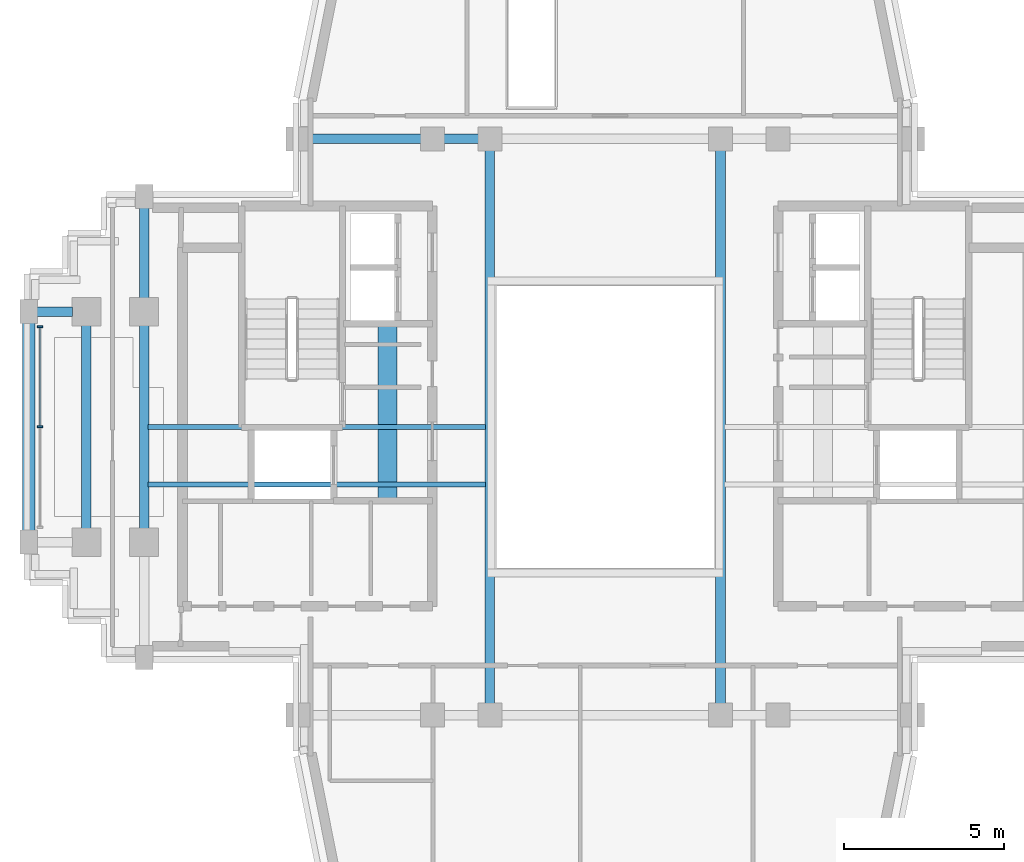
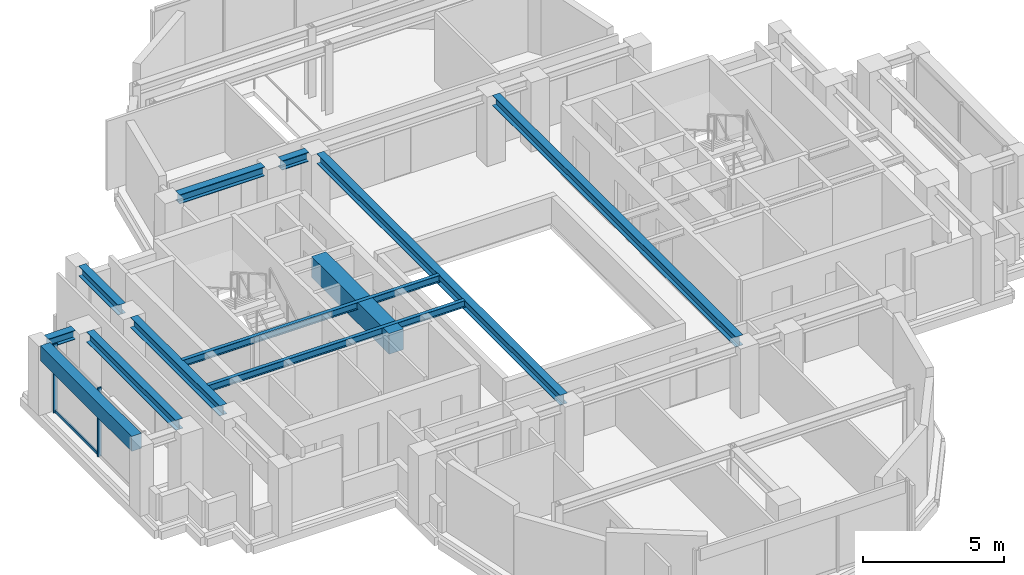
# One storey, part 4 of 12: 12 beams, 3 members, 1 element without a shape of its own.
"""IFC4 building model written with IfcOpenShell, lengths in metres."""

import ifcopenshell
import ifcopenshell.guid

model = None  # the IFC model being written
_history = None  # IfcOwnerHistory: only IFC2X3 demands one
_inside = {}  # id of a spatial element -> (the spatial element, [elements in it])
_under = {}  # id of a project, library or spatial element -> (it, [spatial elements below it])
_declared = {}  # id of a project -> (the project, [libraries it declares])
_typed = {}  # id of a type object -> (the type object, [elements of that type])
_made_of = {}  # id of a material, layer set ... -> (it, [elements and type objects made of it])


def new_model(schema):
    """Start an empty IFC model of exactly this schema.

    Asked for "IFC4X3", IfcOpenShell would pick the latest addendum, in which some entities
    have other attributes; the version numbers below select the first issue.
    IFC2X3 requires an IfcOwnerHistory on every rooted entity: one is made here for all.
    """
    global model, _history
    if schema == "IFC4X3":
        model = ifcopenshell.file(schema_version=(4, 3, 0, 0))
    else:
        model = ifcopenshell.file(schema=schema)
    _inside.clear()
    _under.clear()
    _declared.clear()
    _typed.clear()
    _made_of.clear()
    _history = None
    if model.schema == "IFC2X3":
        org = make("IfcOrganization", Name="unknown")
        user = make(
            "IfcPersonAndOrganization",
            ThePerson=make("IfcPerson", FamilyName="unknown"),
            TheOrganization=org,
        )
        app = make(
            "IfcApplication",
            ApplicationDeveloper=org,
            Version="unknown",
            ApplicationFullName="unknown",
            ApplicationIdentifier="unknown",
        )
        _history = make(
            "IfcOwnerHistory",
            OwningUser=user,
            OwningApplication=app,
            ChangeAction="ADDED",
            CreationDate=0,
        )
    return model


def make(cls, **values):
    """One entity of the class cls with the attributes given. An attribute that is None is left unset."""
    return model.create_entity(
        cls, **{name: value for name, value in values.items() if value is not None}
    )


def rooted(cls, **values):
    """An entity with a GlobalId (a new one), such as an element, a storey or a relation."""
    return make(cls, GlobalId=ifcopenshell.guid.new(), OwnerHistory=_history, **values)


def si_unit(unit_type, name, prefix=None):
    """IfcSIUnit, for example si_unit("LENGTHUNIT", "METRE", prefix="MILLI")."""
    return make("IfcSIUnit", UnitType=unit_type, Prefix=prefix, Name=name)


def assignment(units):
    """IfcUnitAssignment: the units of a project."""
    return None if units is None else make("IfcUnitAssignment", Units=units)


def point(xyz):
    """IfcCartesianPoint."""
    return None if xyz is None else make("IfcCartesianPoint", Coordinates=xyz)


def direction(xyz):
    """IfcDirection."""
    return None if xyz is None else make("IfcDirection", DirectionRatios=xyz)


def frame(location, z_axis=None, x_axis=None):
    """IfcAxis2Placement3D, a coordinate frame: its origin and axes. An axis left out is left unset."""
    return make(
        "IfcAxis2Placement3D",
        Location=point(location),
        Axis=direction(z_axis),
        RefDirection=direction(x_axis),
    )


def frame_2d(location, x_axis=None):
    """IfcAxis2Placement2D, a coordinate frame in the plane: its origin and x axis."""
    return make(
        "IfcAxis2Placement2D", Location=point(location), RefDirection=direction(x_axis)
    )


def origin():
    """The frame at (0, 0, 0) with its axes left unset."""
    return frame((0.0, 0.0, 0.0))


def origin_2d():
    """The frame at (0, 0) in the plane with its x axis left unset."""
    return frame_2d((0.0, 0.0))


def place(relative_to, where):
    """IfcLocalPlacement: puts the frame where relative to a parent placement (None: the world)."""
    return make(
        "IfcLocalPlacement", PlacementRelTo=relative_to, RelativePlacement=where
    )


def context(
    kind, dimensions, precision=None, world=None, true_north=None, identifier=None
):
    """IfcGeometricRepresentationContext, for example the 3D "Model" context."""
    return make(
        "IfcGeometricRepresentationContext",
        ContextIdentifier=identifier,
        ContextType=kind,
        CoordinateSpaceDimension=dimensions,
        Precision=precision,
        WorldCoordinateSystem=world,
        TrueNorth=true_north,
    )


def subcontext(parent, identifier, kind, view, scale=None):
    """IfcGeometricRepresentationSubContext, for example "Body" below "Model"."""
    return make(
        "IfcGeometricRepresentationSubContext",
        ContextIdentifier=identifier,
        ContextType=kind,
        ParentContext=parent,
        TargetScale=scale,
        TargetView=view,
    )


def project(units=None, contexts=None):
    """IfcProject with its units and contexts."""
    return rooted(
        "IfcProject",
        Name="project",
        RepresentationContexts=contexts,
        UnitsInContext=assignment(units),
    )


def spatial(cls, under=None, at=None, **own):
    """A site, building, storey or space (cls), placed at a placement, below another one or the project."""
    s = rooted(cls, ObjectPlacement=at, **own)
    if under is not None:
        _under.setdefault(under.id(), (under, []))[1].append(s)
    return s


def profile(cls, at=None, kind="AREA", **sizes):
    """A parametric profile (cls). Its sizes go by their IFC names, for example OverallWidth=200.0."""
    return make(cls, ProfileType=kind, Position=at, **sizes)


def rectangle(**sizes):
    """IfcRectangleProfileDef."""
    return profile("IfcRectangleProfileDef", **sizes)


def i_section(**sizes):
    """IfcIShapeProfileDef."""
    return profile("IfcIShapeProfileDef", **sizes)


def extrude(swept, where, along, depth):
    """IfcExtrudedAreaSolid: the profile swept, set in the frame where, extruded along a direction by depth."""
    return make(
        "IfcExtrudedAreaSolid",
        SweptArea=swept,
        Position=where,
        ExtrudedDirection=direction(along),
        Depth=depth,
    )


def shape(context_of_items, identifier, shape_type, items):
    """IfcShapeRepresentation: the items that make up one representation, for example the "Body"."""
    return make(
        "IfcShapeRepresentation",
        ContextOfItems=context_of_items,
        RepresentationIdentifier=identifier,
        RepresentationType=shape_type,
        Items=items,
    )


def source(mapping_origin, context_of_items, identifier, shape_type, items):
    """IfcRepresentationMap: a shape defined once, which mapped items show again and again."""
    return make(
        "IfcRepresentationMap",
        MappingOrigin=mapping_origin,
        MappedRepresentation=shape(context_of_items, identifier, shape_type, items),
    )


def transform(
    local_origin,
    x_axis=None,
    y_axis=None,
    z_axis=None,
    scale=None,
    scale2=None,
    scale3=None,
    uniform=True,
):
    """IfcCartesianTransformationOperator3D, or its non-uniform kind. x_axis, y_axis, z_axis: its Axis1, 2, 3."""
    if uniform:
        return make(
            "IfcCartesianTransformationOperator3D",
            Axis1=direction(x_axis),
            Axis2=direction(y_axis),
            LocalOrigin=point(local_origin),
            Scale=scale,
            Axis3=direction(z_axis),
        )
    return make(
        "IfcCartesianTransformationOperator3DnonUniform",
        Axis1=direction(x_axis),
        Axis2=direction(y_axis),
        LocalOrigin=point(local_origin),
        Scale=scale,
        Axis3=direction(z_axis),
        Scale2=scale2,
        Scale3=scale3,
    )


def mapped(mapping_source, mapping_target):
    """IfcMappedItem: shows the shape of a source again, moved by a transform."""
    return make(
        "IfcMappedItem", MappingSource=mapping_source, MappingTarget=mapping_target
    )


def material(Name=None, Category=None):
    """IfcMaterial."""
    return make("IfcMaterial", Name=Name, Category=Category)


def material_profile(
    of_material, cross_section, Name=None, Category=None, Priority=None
):
    """IfcMaterialProfile: a cross section and its material."""
    return make(
        "IfcMaterialProfile",
        Name=Name,
        Material=of_material,
        Profile=cross_section,
        Priority=Priority,
        Category=Category,
    )


def profile_set(profiles, Name=None, composite=None):
    """IfcMaterialProfileSet."""
    return make(
        "IfcMaterialProfileSet",
        Name=Name,
        MaterialProfiles=profiles,
        CompositeProfile=composite,
    )


def made_of(thing, what):
    """Note that an element or type object is made of a material, layer set ...; save() writes the relation."""
    if what is not None:
        _made_of.setdefault(what.id(), (what, []))[1].append(thing)
    return thing


def type_object(cls, material=None, **own):
    """A type object (cls), such as IfcWallType, which elements share."""
    return made_of(rooted(cls, **own), material)


def element(
    cls,
    number,
    at=None,
    inside=None,
    cuts=None,
    type_object=None,
    material=None,
    context=None,
    identifier="Body",
    shape_type=None,
    held_by="IfcProductDefinitionShape",
    body=None,
    shapes=None,
    **own,
):
    """One element of the class cls, such as IfcWall. Its Tag is "e" and its number.

    at: its placement. inside: the storey or other place that contains it. cuts: it is an
    opening in that element (IfcRelVoidsElement). A single representation is given by context,
    identifier, shape_type and body (its items); several are given by shapes. held_by: the class
    of the entity that holds the representations. save() writes the other relations.
    """
    e = rooted(cls, Tag="e%d" % number, ObjectPlacement=at, **own)
    if body is not None:
        shapes = [shape(context, identifier, shape_type, body)]
    if shapes is not None:
        e.Representation = make(held_by, Representations=shapes)
    if inside is not None:
        _inside.setdefault(inside.id(), (inside, []))[1].append(e)
    if cuts is not None:
        rooted(
            "IfcRelVoidsElement", RelatingBuildingElement=cuts, RelatedOpeningElement=e
        )
    if type_object is not None:
        _typed.setdefault(type_object.id(), (type_object, []))[1].append(e)
    return made_of(e, material)


def aggregate(whole, parts):
    """IfcRelAggregates: a whole, such as a stair, and the parts it consists of."""
    return rooted("IfcRelAggregates", RelatingObject=whole, RelatedObjects=parts)


def save(model, path):
    """Write the relations noted so far, then the file.

    IfcRelAggregates (storeys below a building ...), IfcRelContainedInSpatialStructure (elements
    in a storey), IfcRelDefinesByType, IfcRelAssociatesMaterial and IfcRelDeclares: one each for
    every whole, place, type object, material and project.
    """
    for whole, parts in _under.values():
        aggregate(whole, parts)
    for where, things in _inside.values():
        rooted(
            "IfcRelContainedInSpatialStructure",
            RelatedElements=things,
            RelatingStructure=where,
        )
    for kind, things in _typed.values():
        rooted("IfcRelDefinesByType", RelatedObjects=things, RelatingType=kind)
    for what, things in _made_of.values():
        rooted("IfcRelAssociatesMaterial", RelatedObjects=things, RelatingMaterial=what)
    for by, libraries in _declared.values():
        rooted("IfcRelDeclares", RelatingContext=by, RelatedDefinitions=libraries)
    model.write(path)


model = new_model("IFC4")

# Units and contexts
model_context = context("Model", 3, precision=1e-05, world=origin(), true_north=direction((0.0, 1.0)))
body_context = subcontext(model_context, "Body", "Model", "MODEL_VIEW")
ifc_project = project(units=[si_unit("LENGTHUNIT", "METRE"), si_unit("AREAUNIT", "SQUARE_METRE"), si_unit("VOLUMEUNIT", "CUBIC_METRE"), si_unit("PLANEANGLEUNIT", "RADIAN"), si_unit("MASSUNIT", "GRAM", prefix="KILO")], contexts=[model_context])

# Site, building, storey
site_placement = place(None, origin())
site = spatial("IfcSite", under=ifc_project, at=site_placement, CompositionType="ELEMENT")
building_placement = place(site_placement, origin())
building = spatial("IfcBuilding", under=site, at=building_placement, Name="Keilestroom Media Tower", CompositionType="ELEMENT")
storey_placement = place(building_placement, frame((0.0, 0.0, 223.60009765625)))
storey = spatial("IfcBuildingStorey", under=building, at=storey_placement, Name="L61", CompositionType="ELEMENT", Elevation=223.60009765625)

# Beams
ifc_material_1 = material(Name="Concrete C70/85", Category="concrete")
ifc_material_profile_1 = material_profile(ifc_material_1, rectangle(XDim=0.60009765625, YDim=0.89990234375, at=origin_2d()), Name="RC 600x900")
ifc_profile_set_1 = profile_set([ifc_material_profile_1], Name="Concrete C70/85")
beam_type_1 = type_object("IfcBeamType", Name="Core-Coupling-Lintel-Beam-RC-600x900", PredefinedType="LINTEL", material=ifc_profile_set_1)
shared_shape_1 = source(origin(), body_context, "Body", "SweptSolid", [
    extrude(rectangle(XDim=0.60009765625, YDim=0.89990234375, at=origin_2d()), origin(), (0.0, 0.0, 1.0), 5.52001953125),
])
beam_1_placement = place(storey_placement, frame((-6.800048828125, -2.300048828125, 2.559814453125), z_axis=(0.0, 1.0, 0.0), x_axis=(-1.0, 0.0, 0.0)))
element("IfcBeam", 1, at=beam_1_placement, inside=storey, type_object=beam_type_1, Name="L61 Beam CLB-1 CLB-L61-W", PredefinedType="LINTEL", context=body_context, shape_type="MappedRepresentation", body=[
    mapped(shared_shape_1, transform((0.0, 0.0, 0.0), x_axis=(1.0, 0.0, 0.0), y_axis=(0.0, 1.0, 0.0), z_axis=(0.0, 0.0, 1.0), scale=1.0)),
])
ifc_material_2 = material(Name="Steel S355", Category="steel")
ifc_material_profile_2 = material_profile(ifc_material_2, i_section(OverallWidth=0.300048828125, OverallDepth=0.39990234375, WebThickness=0.011474609375, FlangeThickness=0.02392578125, at=origin_2d()), Name="HEB 400")
ifc_profile_set_2 = profile_set([ifc_material_profile_2], Name="Steel S355")
beam_type_2 = type_object("IfcBeamType", Name="Primary-Structural-Girder-HEB-400", PredefinedType="BEAM", material=ifc_profile_set_2)
shared_shape_2 = source(origin(), body_context, "Body", "SweptSolid", [
    extrude(i_section(OverallWidth=0.300048828125, OverallDepth=0.39990234375, WebThickness=0.011474609375, FlangeThickness=0.02392578125, at=origin_2d()), origin(), (0.0, 0.0, 1.0), 3.490234375),
])
beam_2_placement = place(storey_placement, frame((-9.2451171875, 9.0, 2.809814453125), z_axis=(1.0, 0.0, 0.0), x_axis=(0.0, 1.0, 0.0)))
element("IfcBeam", 2, at=beam_2_placement, inside=storey, type_object=beam_type_2, Name="L61 Beam BG-8 BM-L61-EW-016", PredefinedType="BEAM", context=body_context, shape_type="MappedRepresentation", body=[
    mapped(shared_shape_2, transform((0.0, 0.0, 0.0), x_axis=(1.0, 0.0, 0.0), y_axis=(0.0, 1.0, 0.0), z_axis=(0.0, 0.0, 1.0), scale=1.0)),
])
shared_shape_3 = source(origin(), body_context, "Body", "SweptSolid", [
    extrude(i_section(OverallWidth=0.300048828125, OverallDepth=0.39990234375, WebThickness=0.011474609375, FlangeThickness=0.02392578125, at=origin_2d()), origin(), (0.0, 0.0, 1.0), 1.08984375),
])
beam_3_placement = place(storey_placement, frame((-5.044921875, 9.0, 2.809814453125), z_axis=(1.0, 0.0, 0.0), x_axis=(0.0, 1.0, 0.0)))
element("IfcBeam", 3, at=beam_3_placement, inside=storey, type_object=beam_type_2, Name="L61 Beam BG-8 BM-L61-EW-017", PredefinedType="BEAM", context=body_context, shape_type="MappedRepresentation", body=[
    mapped(shared_shape_3, transform((0.0, 0.0, 0.0), x_axis=(1.0, 0.0, 0.0), y_axis=(0.0, 1.0, 0.0), z_axis=(0.0, 0.0, 1.0), scale=1.0)),
])
shared_shape_4 = source(origin(), body_context, "Body", "SweptSolid", [
    extrude(i_section(OverallWidth=0.300048828125, OverallDepth=0.39990234375, WebThickness=0.011474609375, FlangeThickness=0.02392578125, at=origin_2d()), origin(), (0.0, 0.0, 1.0), 1.115234375),
])
beam_4_placement = place(storey_placement, frame((-17.7451171875, 3.60009765625, 2.809814453125), z_axis=(1.0, 0.0, 0.0), x_axis=(0.0, 1.0, 0.0)))
element("IfcBeam", 4, at=beam_4_placement, inside=storey, type_object=beam_type_2, Name="L61 Beam BG-8 BM-L61-EW-012", PredefinedType="BEAM", context=body_context, shape_type="MappedRepresentation", body=[
    mapped(shared_shape_4, transform((0.0, 0.0, 0.0), x_axis=(1.0, 0.0, 0.0), y_axis=(0.0, 1.0, 0.0), z_axis=(0.0, 0.0, 1.0), scale=1.0)),
])
ifc_material_3 = material(Name="Precast concrete C40/50", Category="concrete")
ifc_material_profile_3 = material_profile(ifc_material_3, rectangle(XDim=0.39990234375, YDim=0.64990234375, at=origin_2d()), Name="PC 400x650")
ifc_profile_set_3 = profile_set([ifc_material_profile_3], Name="Precast concrete C40/50")
beam_type_3 = type_object("IfcBeamType", Name="Perimeter-Spandrel-Beam-PC-400x650", PredefinedType="SPANDREL", material=ifc_profile_set_3)
shared_shape_5 = source(origin(), body_context, "Body", "SweptSolid", [
    extrude(rectangle(XDim=0.39990234375, YDim=0.64990234375, at=origin_2d()), origin(), (0.0, 0.0, 1.0), 6.490234375),
])
beam_5_placement = place(storey_placement, frame((-18.0, -3.2451171875, 2.684814453125), z_axis=(0.0, 1.0, 0.0), x_axis=(-1.0, 0.0, 0.0)))
element("IfcBeam", 5, at=beam_5_placement, inside=storey, type_object=beam_type_3, Name="L61 Beam SPB-2 BM-L61-NS-025", PredefinedType="SPANDREL", context=body_context, shape_type="MappedRepresentation", body=[
    mapped(shared_shape_5, transform((0.0, 0.0, 0.0), x_axis=(1.0, 0.0, 0.0), y_axis=(0.0, 1.0, 0.0), z_axis=(0.0, 0.0, 1.0), scale=1.0)),
])
ifc_material_profile_4 = material_profile(ifc_material_2, i_section(OverallWidth=0.300048828125, OverallDepth=0.43994140625, WebThickness=0.011474609375, FlangeThickness=0.02099609375, at=origin_2d()), Name="HEA 450")
ifc_profile_set_4 = profile_set([ifc_material_profile_4], Name="Steel S355")
beam_type_4 = type_object("IfcBeamType", Name="Primary-Structural-Girder-HEA-450", PredefinedType="BEAM", material=ifc_profile_set_4)
shared_shape_6 = source(origin(), body_context, "Body", "SweptSolid", [
    extrude(i_section(OverallWidth=0.300048828125, OverallDepth=0.43994140625, WebThickness=0.011474609375, FlangeThickness=0.02099609375, at=origin_2d()), origin(), (0.0, 0.0, 1.0), 6.33984375),
])
for number, where, z_axis, x_axis, name in (
    (6, (-16.199951171875, -3.169921875, 2.789794921875), (0.0, 1.0, 0.0), (-1.0, 0.0, 0.0), "L61 Beam BG-11 BM-L61-NS-026"),
    (7, (-14.39990234375, -3.169921875, 2.789794921875), (0.0, 1.0, 0.0), (-1.0, 0.0, 0.0), "L61 Beam BG-11 BM-L61-NS-028"),
):
    element("IfcBeam", number, at=place(storey_placement, frame(where, z_axis=z_axis, x_axis=x_axis)), inside=storey, type_object=beam_type_4, Name=name, PredefinedType="BEAM", context=body_context, shape_type="MappedRepresentation", body=[
        mapped(shared_shape_6, transform((0.0, 0.0, 0.0), x_axis=(1.0, 0.0, 0.0), y_axis=(0.0, 1.0, 0.0), z_axis=(0.0, 0.0, 1.0), scale=1.0)),
    ])
shared_shape_7 = source(origin(), body_context, "Body", "SweptSolid", [
    extrude(i_section(OverallWidth=0.300048828125, OverallDepth=0.43994140625, WebThickness=0.011474609375, FlangeThickness=0.02099609375, at=origin_2d()), origin(), (0.0, 0.0, 1.0), 2.81494140625),
])
beam_6_placement = place(storey_placement, frame((-14.39990234375, 4.030029296875, 2.789794921875), z_axis=(0.0, 1.0, 0.0), x_axis=(-1.0, 0.0, 0.0)))
element("IfcBeam", 8, at=beam_6_placement, inside=storey, type_object=beam_type_4, Name="L61 Beam BG-11 BM-L61-NS-029", PredefinedType="BEAM", context=body_context, shape_type="MappedRepresentation", body=[
    mapped(shared_shape_7, transform((0.0, 0.0, 0.0), x_axis=(1.0, 0.0, 0.0), y_axis=(0.0, 1.0, 0.0), z_axis=(0.0, 0.0, 1.0), scale=1.0)),
])
shared_shape_8 = source(origin(), body_context, "Body", "SweptSolid", [
    extrude(i_section(OverallWidth=0.300048828125, OverallDepth=0.43994140625, WebThickness=0.011474609375, FlangeThickness=0.02099609375, at=origin_2d()), origin(), (0.0, 0.0, 1.0), 17.2900390625),
])
for number, where, z_axis, x_axis, name in (
    (9, (-3.60009765625, -8.64501953125, 2.789794921875), (0.0, 1.0, 0.0), (-1.0, 0.0, 0.0), "L61 Beam BG-11 BM-L61-NS-033"),
    (10, (3.60009765625, -8.64501953125, 2.789794921875), (0.0, 1.0, 0.0), (-1.0, 0.0, 0.0), "L61 Beam BG-11 BM-L61-NS-036"),
):
    element("IfcBeam", number, at=place(storey_placement, frame(where, z_axis=z_axis, x_axis=x_axis)), inside=storey, type_object=beam_type_4, Name=name, PredefinedType="BEAM", context=body_context, shape_type="MappedRepresentation", body=[
        mapped(shared_shape_8, transform((0.0, 0.0, 0.0), x_axis=(1.0, 0.0, 0.0), y_axis=(0.0, 1.0, 0.0), z_axis=(0.0, 0.0, 1.0), scale=1.0)),
    ])
ifc_material_profile_5 = material_profile(ifc_material_2, i_section(OverallWidth=0.14990234375, OverallDepth=0.300048828125, WebThickness=0.007080078125, FlangeThickness=0.0107421875, at=origin_2d()), Name="IPE 300")
ifc_profile_set_5 = profile_set([ifc_material_profile_5], Name="Steel S355")
beam_type_5 = type_object("IfcBeamType", Name="Secondary-Floor-Joist-IPE-300", PredefinedType="JOIST", material=ifc_profile_set_5)
shared_shape_9 = source(origin(), body_context, "Body", "SweptSolid", [
    extrude(i_section(OverallWidth=0.14990234375, OverallDepth=0.300048828125, WebThickness=0.007080078125, FlangeThickness=0.0107421875, at=origin_2d()), origin(), (0.0, 0.0, 1.0), 10.5400390625),
])
for number, where, z_axis, x_axis, name in (
    (11, (-14.27001953125, -1.800048828125, 2.85986328125), (1.0, 0.0, 0.0), (0.0, 1.0, 0.0), "L61 Beam BJ-7 JST-L61-045"),
    (12, (-14.27001953125, 0.0, 2.85986328125), (1.0, 0.0, 0.0), (0.0, 1.0, 0.0), "L61 Beam BJ-7 JST-L61-048"),
):
    element("IfcBeam", number, at=place(storey_placement, frame(where, z_axis=z_axis, x_axis=x_axis)), inside=storey, type_object=beam_type_5, Name=name, PredefinedType="JOIST", context=body_context, shape_type="MappedRepresentation", body=[
        mapped(shared_shape_9, transform((0.0, 0.0, 0.0), x_axis=(1.0, 0.0, 0.0), y_axis=(0.0, 1.0, 0.0), z_axis=(0.0, 0.0, 1.0), scale=1.0)),
    ])

# Curtain wall, members
ifc_material_4 = material(Name="Anodised Aluminium Alloy", Category="aluminium")
curtain_wall_type = type_object("IfcCurtainWallType", Name="Unitised-Curtain-Wall-CW-4", PredefinedType="NOTDEFINED", material=ifc_material_4)
curtain_wall_placement = place(storey_placement, origin())
curtain_wall = element("IfcCurtainWall", 13, at=curtain_wall_placement, inside=storey, type_object=curtain_wall_type, Name="L61 Curtain Wall CW-4 CW-L61-W-1", PredefinedType="NOTDEFINED")
ifc_material_profile_6 = material_profile(ifc_material_4, rectangle(XDim=0.06005859375, YDim=0.159912109375, at=origin_2d()), Name="ALU MULLION 60x160")
ifc_profile_set_6 = profile_set([ifc_material_profile_6], Name="Anodised Aluminium Alloy")
member_type_1 = type_object("IfcMemberType", Name="Curtain-Wall-Mullion-CW-4", PredefinedType="MULLION", material=ifc_profile_set_6)
shared_shape_10 = source(origin(), body_context, "Body", "SweptSolid", [
    extrude(rectangle(XDim=0.06005859375, YDim=0.159912109375, at=origin_2d()), origin(), (0.0, 0.0, 1.0), 2.97998046875),
])
member_1_placement = place(storey_placement, frame((-17.64990234375, 0.0, 0.0), z_axis=(0.0, 0.0, 1.0), x_axis=(0.0, 1.0, 0.0)))
member_1 = element("IfcMember", 14, at=member_1_placement, type_object=member_type_1, Name="CW-4 Mullion 01", PredefinedType="MULLION", context=body_context, shape_type="MappedRepresentation", body=[
    mapped(shared_shape_10, transform((0.0, 0.0, 0.0), x_axis=(1.0, 0.0, 0.0), y_axis=(0.0, 1.0, 0.0), z_axis=(0.0, 0.0, 1.0), scale=1.0)),
])
member_2_placement = place(storey_placement, frame((-17.64990234375, 3.135009765625, 0.0), z_axis=(0.0, 0.0, 1.0), x_axis=(0.0, 1.0, 0.0)))
member_2 = element("IfcMember", 15, at=member_2_placement, type_object=member_type_1, Name="CW-4 Mullion 02", PredefinedType="MULLION", context=body_context, shape_type="MappedRepresentation", body=[
    mapped(shared_shape_10, transform((0.0, 0.0, 0.0), x_axis=(1.0, 0.0, 0.0), y_axis=(0.0, 1.0, 0.0), z_axis=(0.0, 0.0, 1.0), scale=1.0)),
])
ifc_material_profile_7 = material_profile(ifc_material_4, rectangle(XDim=0.06005859375, YDim=0.1298828125, at=origin_2d()), Name="ALU TRANSOM 60x130")
ifc_profile_set_7 = profile_set([ifc_material_profile_7], Name="Anodised Aluminium Alloy")
member_type_2 = type_object("IfcMemberType", Name="Curtain-Wall-Transom-CW-4", PredefinedType="USERDEFINED", material=ifc_profile_set_7)
shared_shape_11 = source(origin(), body_context, "Body", "SweptSolid", [
    extrude(rectangle(XDim=0.06005859375, YDim=0.1298828125, at=origin_2d()), origin(), (0.0, 0.0, 1.0), 3.078857421875),
])
member_3_placement = place(storey_placement, frame((-17.64990234375, 0.028076171875, 0.06494140625), z_axis=(0.0, 1.0, 0.0), x_axis=(-1.0, 0.0, 0.0)))
member_3 = element("IfcMember", 16, at=member_3_placement, type_object=member_type_2, Name="CW-4 Transom 01.1", ObjectType="TRANSOM", PredefinedType="USERDEFINED", context=body_context, shape_type="MappedRepresentation", body=[
    mapped(shared_shape_11, transform((0.0, 0.0, 0.0), x_axis=(1.0, 0.0, 0.0), y_axis=(0.0, 1.0, 0.0), z_axis=(0.0, 0.0, 1.0), scale=1.0)),
])
aggregate(curtain_wall, [member_1, member_2, member_3])

save(model, "model.ifc")
